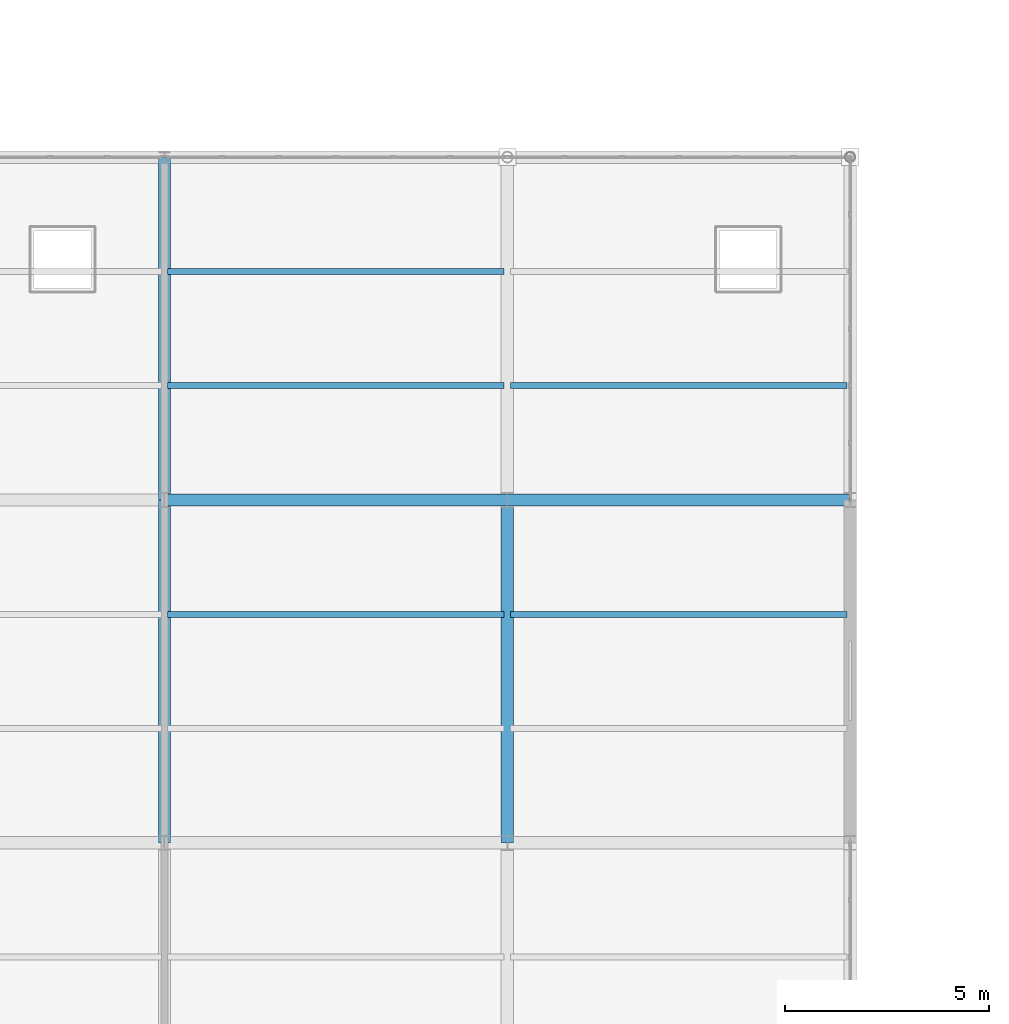
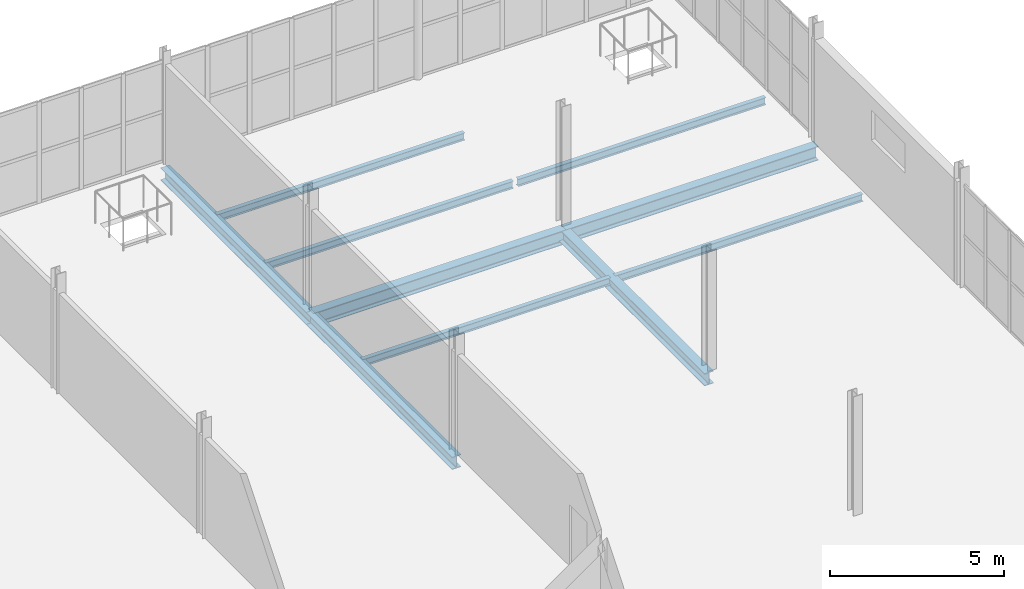
# One storey, part 83 of 163: 10 beams.
"""IFC4 building model written with IfcOpenShell, lengths in metres."""

from ifc_helpers import new_model, si_unit, direction, frame, origin, origin_2d, place, context, subcontext, project, spatial, i_section, extrude, material, material_profile, profile_set, type_object, element, save


model = new_model("IFC4")

# Units and contexts
model_context = context("Model", 3, precision=1e-05, world=origin(), true_north=direction((0.0, 1.0)))
body_context = subcontext(model_context, "Body", "Model", "MODEL_VIEW")
ifc_project = project(units=[si_unit("LENGTHUNIT", "METRE"), si_unit("AREAUNIT", "SQUARE_METRE"), si_unit("VOLUMEUNIT", "CUBIC_METRE"), si_unit("PLANEANGLEUNIT", "RADIAN"), si_unit("MASSUNIT", "GRAM", prefix="KILO")], contexts=[model_context])

# Site, building, storey
site_placement = place(None, origin())
site = spatial("IfcSite", under=ifc_project, at=site_placement, CompositionType="ELEMENT")
building_placement = place(site_placement, origin())
building = spatial("IfcBuilding", under=site, at=building_placement, Name="Qalvenar Corner Mobility Hub", CompositionType="ELEMENT")
storey_placement = place(building_placement, frame((0.0, 0.0, 4.800048828125)))
storey = spatial("IfcBuildingStorey", under=building, at=storey_placement, Name="L01", CompositionType="ELEMENT", Elevation=4.800048828125)

# Beams
ifc_material = material(Name="Steel S355", Category="steel")
ifc_material_profile_1 = material_profile(ifc_material, i_section(OverallWidth=0.300048828125, OverallDepth=0.43994140625, WebThickness=0.011474609375, FlangeThickness=0.02099609375, FilletRadius=0.027099609375, at=origin_2d()), Name="HEA450")
ifc_profile_set_1 = profile_set([ifc_material_profile_1], Name="Steel S355")
beam_type_1 = type_object("IfcBeamType", Name="BM-HEA450", PredefinedType="BEAM", material=ifc_profile_set_1)
for number, where, z_axis, x_axis, name in (
    (1, (16.800048828125, 75.60009765625, -0.400146484375), (0.0, 1.0, 0.0), (-1.0, 0.0, 0.0), "Primary Steel Girder GY-1196"),
    (2, (16.800048828125, 84.0, -0.400146484375), (0.0, 1.0, 0.0), (-1.0, 0.0, 0.0), "Primary Steel Girder GY-1197"),
    (3, (25.199951171875, 75.60009765625, -0.400146484375), (0.0, 1.0, 0.0), (-1.0, 0.0, 0.0), "Primary Steel Girder GY-1202"),
):
    element("IfcBeam", number, at=place(storey_placement, frame(where, z_axis=z_axis, x_axis=x_axis)), inside=storey, type_object=beam_type_1, Name=name, PredefinedType="BEAM", context=body_context, shape_type="SweptSolid", body=[
        extrude(i_section(OverallWidth=0.300048828125, OverallDepth=0.43994140625, WebThickness=0.011474609375, FlangeThickness=0.02099609375, FilletRadius=0.027099609375, at=origin_2d()), origin(), (0.0, 0.0, 1.0), 8.39990234375),
    ])
ifc_material_profile_2 = material_profile(ifc_material, i_section(OverallWidth=0.300048828125, OverallDepth=0.489990234375, WebThickness=0.011962890625, FlangeThickness=0.02294921875, FilletRadius=0.027099609375, at=origin_2d()), Name="HEA500")
ifc_profile_set_2 = profile_set([ifc_material_profile_2], Name="Steel S355")
beam_type_2 = type_object("IfcBeamType", Name="BM-HEA500", PredefinedType="BEAM", material=ifc_profile_set_2)
beam_1_placement = place(storey_placement, frame((16.800048828125, 84.0, -0.425048828125), z_axis=(1.0, 0.0, 0.0), x_axis=(0.0, 1.0, 0.0)))
element("IfcBeam", 4, at=beam_1_placement, inside=storey, type_object=beam_type_2, Name="Primary Steel Girder GX-1174", PredefinedType="BEAM", context=body_context, shape_type="SweptSolid", body=[
    extrude(i_section(OverallWidth=0.300048828125, OverallDepth=0.489990234375, WebThickness=0.011962890625, FlangeThickness=0.02294921875, FilletRadius=0.027099609375, at=origin_2d()), origin(), (0.0, 0.0, 1.0), 8.39990234375),
])
beam_2_placement = place(storey_placement, frame((25.199951171875, 84.0, -0.425048828125), z_axis=(1.0, 0.0, 0.0), x_axis=(0.0, 1.0, 0.0)))
element("IfcBeam", 5, at=beam_2_placement, inside=storey, type_object=beam_type_2, Name="Primary Steel Girder GX-1175", PredefinedType="BEAM", context=body_context, shape_type="SweptSolid", body=[
    extrude(i_section(OverallWidth=0.300048828125, OverallDepth=0.489990234375, WebThickness=0.011962890625, FlangeThickness=0.02294921875, FilletRadius=0.027099609375, at=origin_2d()), origin(), (0.0, 0.0, 1.0), 8.400146484375),
])
ifc_material_profile_3 = material_profile(ifc_material, i_section(OverallWidth=0.14599609375, OverallDepth=0.258056640625, WebThickness=0.006103515625, FlangeThickness=0.009033203125, FilletRadius=0.011962890625, at=origin_2d()), Name="W250x32.7")
ifc_profile_set_3 = profile_set([ifc_material_profile_3], Name="Steel S355")
beam_type_3 = type_object("IfcBeamType", Name="BM-JST250", PredefinedType="JOIST", material=ifc_profile_set_3)
for number, where, z_axis, x_axis, name in (
    (6, (16.8779296875, 81.199951171875, -0.30908203125), (1.0, 0.0, 0.0), (0.0, 1.0, 0.0), "Composite Floor Joist J-1241"),
    (7, (16.8779296875, 86.800048828125, -0.30908203125), (1.0, 0.0, 0.0), (0.0, 1.0, 0.0), "Composite Floor Joist J-1242"),
    (8, (16.8779296875, 89.60009765625, -0.30908203125), (1.0, 0.0, 0.0), (0.0, 1.0, 0.0), "Composite Floor Joist J-1243"),
):
    element("IfcBeam", number, at=place(storey_placement, frame(where, z_axis=z_axis, x_axis=x_axis)), inside=storey, type_object=beam_type_3, Name=name, PredefinedType="JOIST", context=body_context, shape_type="SweptSolid", body=[
        extrude(i_section(OverallWidth=0.14599609375, OverallDepth=0.258056640625, WebThickness=0.006103515625, FlangeThickness=0.009033203125, FilletRadius=0.011962890625, at=origin_2d()), origin(), (0.0, 0.0, 1.0), 8.244140625),
    ])
for number, where, z_axis, x_axis, name in (
    (9, (25.278076171875, 81.199951171875, -0.30908203125), (1.0, 0.0, 0.0), (0.0, 1.0, 0.0), "Composite Floor Joist J-1253"),
    (10, (25.278076171875, 86.800048828125, -0.30908203125), (1.0, 0.0, 0.0), (0.0, 1.0, 0.0), "Composite Floor Joist J-1254"),
):
    element("IfcBeam", number, at=place(storey_placement, frame(where, z_axis=z_axis, x_axis=x_axis)), inside=storey, type_object=beam_type_3, Name=name, PredefinedType="JOIST", context=body_context, shape_type="SweptSolid", body=[
        extrude(i_section(OverallWidth=0.14599609375, OverallDepth=0.258056640625, WebThickness=0.006103515625, FlangeThickness=0.009033203125, FilletRadius=0.011962890625, at=origin_2d()), origin(), (0.0, 0.0, 1.0), 8.243896484375),
    ])

save(model, "model.ifc")
